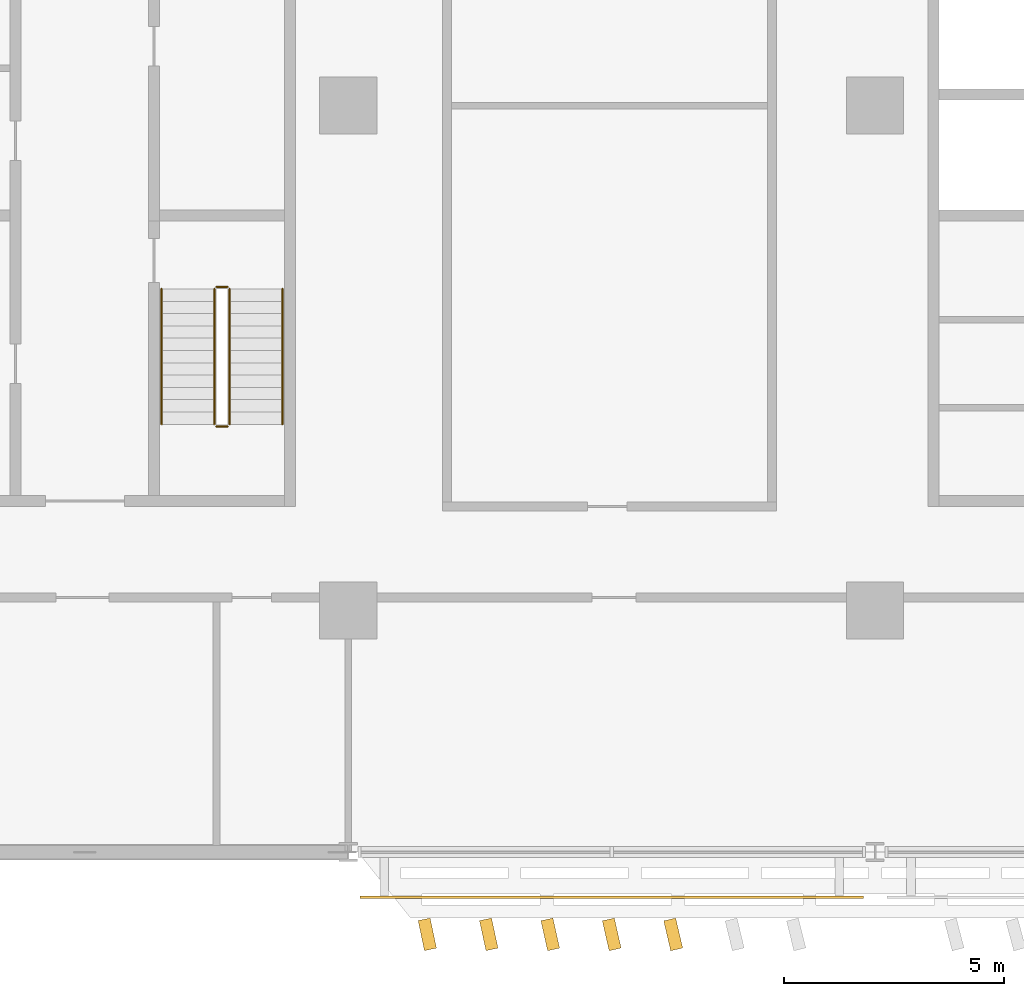
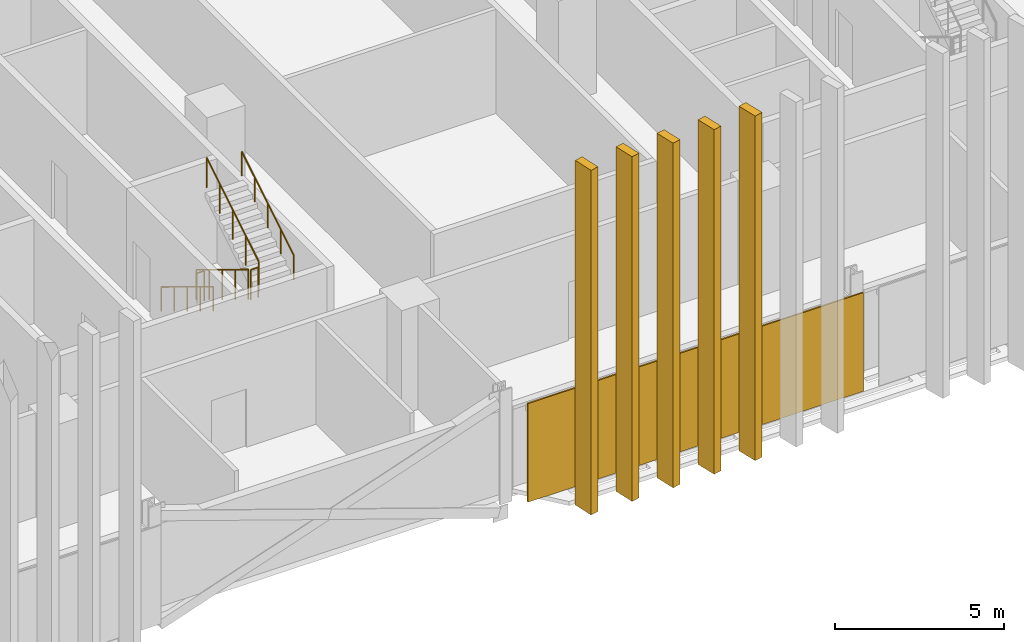
# One storey, part 26 of 33: 6 coverings, 6 railings.
"""IFC4 building model written with IfcOpenShell, lengths in metres."""

from ifc_helpers import new_model, si_unit, direction, frame, origin, origin_2d, place, context, subcontext, project, spatial, rectangle, circle, extrude, material, layer, layer_set, type_object, element, save


model = new_model("IFC4")

# Units and contexts
model_context = context("Model", 3, precision=1e-05, world=origin(), true_north=direction((0.0, 1.0)))
body_context = subcontext(model_context, "Body", "Model", "MODEL_VIEW")
ifc_project = project(units=[si_unit("LENGTHUNIT", "METRE"), si_unit("AREAUNIT", "SQUARE_METRE"), si_unit("VOLUMEUNIT", "CUBIC_METRE"), si_unit("PLANEANGLEUNIT", "RADIAN"), si_unit("MASSUNIT", "GRAM", prefix="KILO")], contexts=[model_context])

# Site, building, storey
site_placement = place(None, origin())
site = spatial("IfcSite", under=ifc_project, at=site_placement, CompositionType="ELEMENT")
building_placement = place(site_placement, origin())
building = spatial("IfcBuilding", under=site, at=building_placement, Name="Mahtab Terrace Research Tower", CompositionType="ELEMENT")
storey_placement = place(building_placement, frame((0.0, 0.0, 122.0)))
storey = spatial("IfcBuildingStorey", under=building, at=storey_placement, Name="L28", CompositionType="ELEMENT", Elevation=122.0)

# Covering
ifc_material_1 = material(Name="Bronze anodised aluminium", Category="aluminium")
ifc_layer_1 = layer(ifc_material_1, 0.050048828125)
ifc_layer_set_1 = layer_set([ifc_layer_1], Name="Sky lounge girih screen panel")
covering_type_1 = type_object("IfcCoveringType", Name="Sky lounge girih screen panel", PredefinedType="CLADDING", material=ifc_layer_set_1)
covering_placement = place(storey_placement, frame((12.0, -18.02490234375, 0.099853515625), z_axis=(0.0, 0.0, 1.0), x_axis=(1.0, 0.0, 0.0)))
element("IfcCovering", 1, at=covering_placement, inside=storey, type_object=covering_type_1, Name="Girih screen L28 S29", PredefinedType="CLADDING", context=body_context, shape_type="SweptSolid", body=[
    extrude(rectangle(XDim=11.464111328125, YDim=0.050048828125, at=origin_2d()), origin(), (0.0, 0.0, 1.0), 3.56005859375),
])

# Railings
ifc_material_2 = material(Name="Stainless steel AISI 304", Category="steel")
railing_type_1 = type_object("IfcRailingType", Name="Stair guard 1100", PredefinedType="GUARDRAIL", material=ifc_material_2)
railing_1_placement = place(storey_placement, frame((2.949951171875, -4.175048828125, 0.1708984375)))
element("IfcRailing", 2, at=railing_1_placement, inside=storey, type_object=railing_type_1, Name="L28 ST2 stair guard 1", PredefinedType="GUARDRAIL", context=body_context, shape_type="SweptSolid", body=[
    extrude(circle(Radius=0.02392578125, at=origin_2d()), frame((0.0, 0.0, 1.076171875), z_axis=(0.0, -0.853647949592, 0.520850437417), x_axis=(1.0, 0.0, 0.0)), (0.0, 0.0, 1.0), 3.60791015625),
    extrude(circle(Radius=0.02099609375, at=origin_2d()), origin(), (0.0, 0.0, 1.0), 1.052001953125),
    extrude(circle(Radius=0.02099609375, at=origin_2d()), frame((0.0, -0.77001953125, 0.4697265625)), (0.0, 0.0, 1.0), 1.052001953125),
    extrude(circle(Radius=0.02099609375, at=origin_2d()), frame((0.0, -1.5400390625, 0.939453125)), (0.0, 0.0, 1.0), 1.052001953125),
    extrude(circle(Radius=0.02099609375, at=origin_2d()), frame((0.0, -2.309814453125, 1.409423828125)), (0.0, 0.0, 1.0), 1.052001953125),
    extrude(circle(Radius=0.02099609375, at=origin_2d()), frame((0.0, -3.079833984375, 1.879150390625)), (0.0, 0.0, 1.0), 1.052001953125),
])
railing_2_placement = place(storey_placement, frame((3.0, -7.304931640625, 2.050048828125)))
element("IfcRailing", 3, at=railing_2_placement, inside=storey, type_object=railing_type_1, Name="L28 ST2 stair guard 2", PredefinedType="GUARDRAIL", context=body_context, shape_type="SweptSolid", body=[
    extrude(circle(Radius=0.02392578125, at=origin_2d()), frame((0.0, 0.0, 1.076171875), z_axis=(1.0, 0.0, 0.0), x_axis=(0.0, 1.0, 0.0)), (0.0, 0.0, 1.0), 0.25),
    extrude(circle(Radius=0.02099609375, at=origin_2d()), origin(), (0.0, 0.0, 1.0), 1.052001953125),
    extrude(circle(Radius=0.02099609375, at=origin_2d()), frame((0.25, 0.0, 0.0)), (0.0, 0.0, 1.0), 1.052001953125),
])
railing_3_placement = place(storey_placement, frame((3.300048828125, -7.2548828125, 2.220947265625)))
element("IfcRailing", 4, at=railing_3_placement, inside=storey, type_object=railing_type_1, Name="L28 ST2 stair guard 3", PredefinedType="GUARDRAIL", context=body_context, shape_type="SweptSolid", body=[
    extrude(circle(Radius=0.02392578125, at=origin_2d()), frame((0.0, 0.0, 1.076171875), z_axis=(0.0, 0.853647949592, 0.520850437417), x_axis=(-1.0, 0.0, 0.0)), (0.0, 0.0, 1.0), 3.60791015625),
    extrude(circle(Radius=0.02099609375, at=origin_2d()), origin(), (0.0, 0.0, 1.0), 1.052001953125),
    extrude(circle(Radius=0.02099609375, at=origin_2d()), frame((0.0, 0.77001953125, 0.4697265625)), (0.0, 0.0, 1.0), 1.052001953125),
    extrude(circle(Radius=0.02099609375, at=origin_2d()), frame((0.0, 1.5400390625, 0.939453125)), (0.0, 0.0, 1.0), 1.052001953125),
    extrude(circle(Radius=0.02099609375, at=origin_2d()), frame((0.0, 2.309814453125, 1.409423828125)), (0.0, 0.0, 1.0), 1.052001953125),
    extrude(circle(Radius=0.02099609375, at=origin_2d()), frame((0.0, 3.079833984375, 1.879150390625)), (0.0, 0.0, 1.0), 1.052001953125),
])
railing_4_placement = place(storey_placement, frame((3.0, -4.125, 0.0)))
element("IfcRailing", 5, at=railing_4_placement, inside=storey, type_object=railing_type_1, Name="L28 ST2 stair guard 4", PredefinedType="GUARDRAIL", context=body_context, shape_type="SweptSolid", body=[
    extrude(circle(Radius=0.02392578125, at=origin_2d()), frame((0.0, 0.0, 1.076171875), z_axis=(1.0, 0.0, 0.0), x_axis=(0.0, 1.0, 0.0)), (0.0, 0.0, 1.0), 0.25),
    extrude(circle(Radius=0.02099609375, at=origin_2d()), origin(), (0.0, 0.0, 1.0), 1.052001953125),
    extrude(circle(Radius=0.02099609375, at=origin_2d()), frame((0.25, 0.0, 0.0)), (0.0, 0.0, 1.0), 1.052001953125),
])
railing_type_2 = type_object("IfcRailingType", Name="Stair handrail 900", PredefinedType="HANDRAIL", material=ifc_material_2)
railing_5_placement = place(storey_placement, frame((1.75, -4.175048828125, 0.1708984375)))
element("IfcRailing", 6, at=railing_5_placement, inside=storey, type_object=railing_type_2, Name="L28 ST2 stair handrail 1", PredefinedType="HANDRAIL", context=body_context, shape_type="SweptSolid", body=[
    extrude(circle(Radius=0.02392578125, at=origin_2d()), frame((0.0, 0.0, 0.8759765625), z_axis=(0.0, -0.853647949592, 0.520850437417), x_axis=(1.0, 0.0, 0.0)), (0.0, 0.0, 1.0), 3.60791015625),
    extrude(circle(Radius=0.02099609375, at=origin_2d()), origin(), (0.0, 0.0, 1.0), 0.851806640625),
    extrude(circle(Radius=0.02099609375, at=origin_2d()), frame((0.0, -0.77001953125, 0.4697265625)), (0.0, 0.0, 1.0), 0.851806640625),
    extrude(circle(Radius=0.02099609375, at=origin_2d()), frame((0.0, -1.5400390625, 0.939453125)), (0.0, 0.0, 1.0), 0.851806640625),
    extrude(circle(Radius=0.02099609375, at=origin_2d()), frame((0.0, -2.309814453125, 1.409423828125)), (0.0, 0.0, 1.0), 0.851806640625),
    extrude(circle(Radius=0.02099609375, at=origin_2d()), frame((0.0, -3.079833984375, 1.879150390625)), (0.0, 0.0, 1.0), 0.851806640625),
])
railing_6_placement = place(storey_placement, frame((4.5, -7.2548828125, 2.220947265625)))
element("IfcRailing", 7, at=railing_6_placement, inside=storey, type_object=railing_type_2, Name="L28 ST2 stair handrail 2", PredefinedType="HANDRAIL", context=body_context, shape_type="SweptSolid", body=[
    extrude(circle(Radius=0.02392578125, at=origin_2d()), frame((0.0, 0.0, 0.8759765625), z_axis=(0.0, 0.853647949592, 0.520850437417), x_axis=(-1.0, 0.0, 0.0)), (0.0, 0.0, 1.0), 3.60791015625),
    extrude(circle(Radius=0.02099609375, at=origin_2d()), origin(), (0.0, 0.0, 1.0), 0.851806640625),
    extrude(circle(Radius=0.02099609375, at=origin_2d()), frame((0.0, 0.77001953125, 0.4697265625)), (0.0, 0.0, 1.0), 0.851806640625),
    extrude(circle(Radius=0.02099609375, at=origin_2d()), frame((0.0, 1.5400390625, 0.939453125)), (0.0, 0.0, 1.0), 0.851806640625),
    extrude(circle(Radius=0.02099609375, at=origin_2d()), frame((0.0, 2.309814453125, 1.409423828125)), (0.0, 0.0, 1.0), 0.851806640625),
    extrude(circle(Radius=0.02099609375, at=origin_2d()), frame((0.0, 3.079833984375, 1.879150390625)), (0.0, 0.0, 1.0), 0.851806640625),
])

# Coverings
ifc_layer_2 = layer(ifc_material_1, 0.1201171875)
ifc_layer_set_2 = layer_set([ifc_layer_2], Name="Vertical fin 700")
covering_type_2 = type_object("IfcCoveringType", Name="Vertical fin 700", PredefinedType="CLADDING", material=ifc_layer_set_2)
for number, where, z_axis, x_axis, name in (
    (8, (7.800048828125, -18.871337890625, -0.14990234375), (0.0, 0.0, 1.0), (0.978662951719, 0.205472204767, 0.0), "Fin L28 S1"),
    (9, (9.199951171875, -18.87158203125, -0.14990234375), (0.0, 0.0, 1.0), (0.97745100758, 0.211162325667, 0.0), "Fin L28 S2"),
    (10, (10.60009765625, -18.8720703125, -0.14990234375), (0.0, 0.0, 1.0), (0.976205980352, 0.216845299523, 0.0), "Fin L28 S3"),
    (11, (12.0, -18.872314453125, -0.14990234375), (0.0, 0.0, 1.0), (0.974927912182, 0.222520933954, 0.0), "Fin L28 S4"),
    (12, (13.39990234375, -18.872802734375, -0.14990234375), (0.0, 0.0, 1.0), (0.973616846325, 0.228189036878, 0.0), "Fin L28 S5"),
):
    element("IfcCovering", number, at=place(storey_placement, frame(where, z_axis=z_axis, x_axis=x_axis)), inside=storey, type_object=covering_type_2, Name=name, PredefinedType="CLADDING", context=body_context, shape_type="SweptSolid", body=[
        extrude(rectangle(XDim=0.280029296875, YDim=0.699951171875, at=origin_2d()), origin(), (0.0, 0.0, 1.0), 12.449951171875),
    ])

save(model, "model.ifc")
